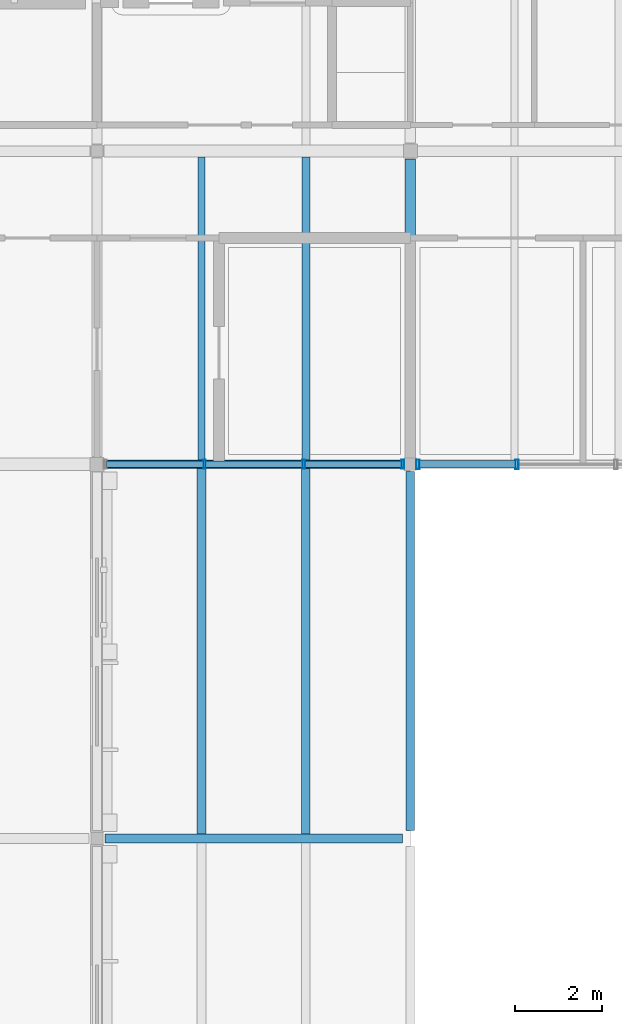
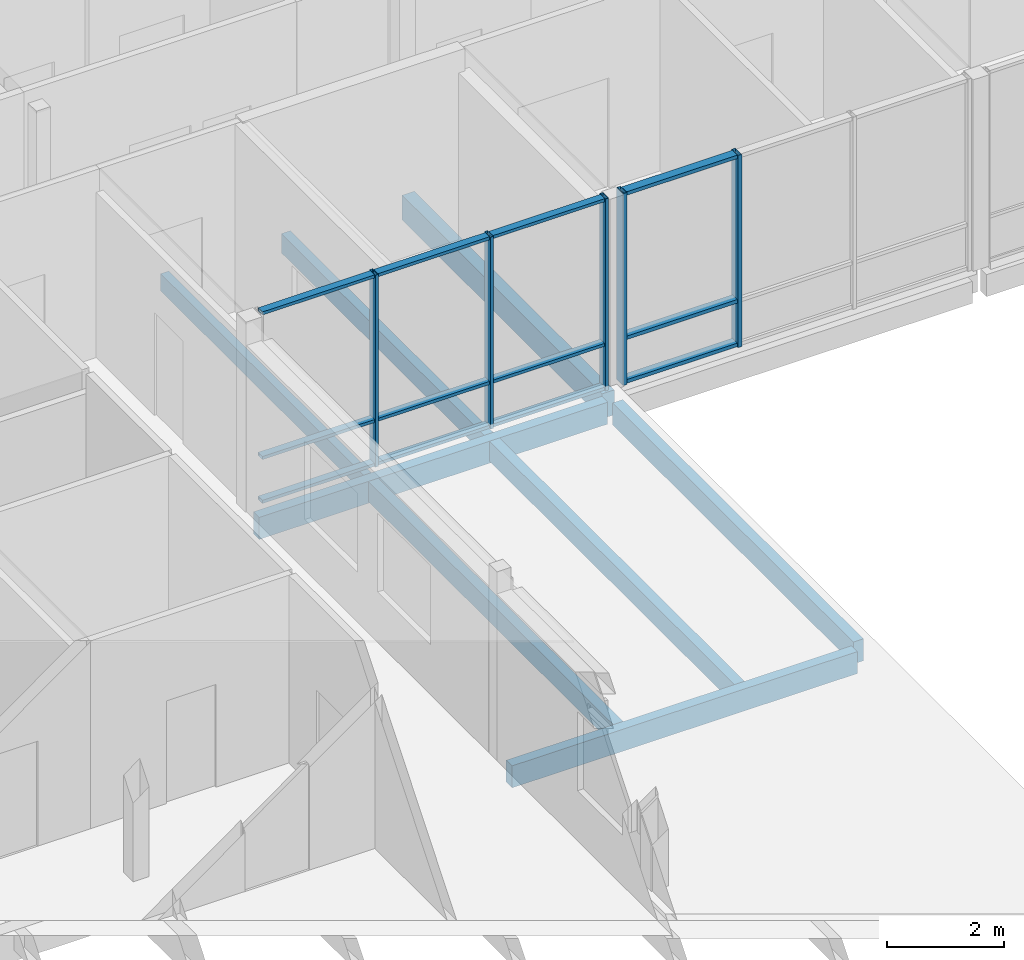
# One storey, part 13 of 57: 17 members, 8 beams, 2 elements without a shape of their own.
"""IFC4 building model written with IfcOpenShell, lengths in metres."""

from ifc_helpers import new_model, si_unit, direction, frame, origin, origin_2d, place, context, subcontext, project, spatial, rectangle, hollow_rectangle, extrude, material, material_profile, profile_set, type_object, element, aggregate, save


model = new_model("IFC4")

# Units and contexts
model_context = context("Model", 3, precision=1e-05, world=origin(), true_north=direction((0.0, 1.0)))
body_context = subcontext(model_context, "Body", "Model", "MODEL_VIEW")
ifc_project = project(units=[si_unit("LENGTHUNIT", "METRE"), si_unit("AREAUNIT", "SQUARE_METRE"), si_unit("VOLUMEUNIT", "CUBIC_METRE"), si_unit("PLANEANGLEUNIT", "RADIAN"), si_unit("MASSUNIT", "GRAM", prefix="KILO")], contexts=[model_context])

# Site, building, storey
site_placement = place(None, origin())
site = spatial("IfcSite", under=ifc_project, at=site_placement, CompositionType="ELEMENT")
building_placement = place(site_placement, origin())
building = spatial("IfcBuilding", under=site, at=building_placement, Name="Hawrajan Terrace Health Centre", CompositionType="ELEMENT")
storey_placement = place(building_placement, frame((0.0, 0.0, 13.199951171875)))
storey = spatial("IfcBuildingStorey", under=building, at=storey_placement, Name="L03", CompositionType="ELEMENT", Elevation=13.199951171875)

# Curtain wall, members
ifc_material_1 = material(Name="Anodized bronze aluminium and low-E solar glazing", Category="aluminium")
curtain_wall_type_1 = type_object("IfcCurtainWallType", Name="CW_Clerestory_SeriesG1", PredefinedType="USERDEFINED", material=ifc_material_1)
curtain_wall_1_placement = place(storey_placement, origin())
curtain_wall_1 = element("IfcCurtainWall", 1, at=curtain_wall_1_placement, inside=storey, type_object=curtain_wall_type_1, Name="Curtain wall CW-L03-160", ObjectType="UNITISED CURTAIN WALL", PredefinedType="USERDEFINED")
ifc_material_2 = material(Name="Anodized bronze aluminium 6063-T6", Category="aluminium")
ifc_material_profile_1 = material_profile(ifc_material_2, hollow_rectangle(XDim=0.06494140625, YDim=0.199951171875, WallThickness=0.00439453125, at=origin_2d()), Name="CW MUL 65x200")
ifc_profile_set_1 = profile_set([ifc_material_profile_1], Name="Anodized bronze aluminium 6063-T6")
member_type_1 = type_object("IfcMemberType", Name="CWMullion_65x200", PredefinedType="MULLION", material=ifc_profile_set_1)
member_1_placement = place(storey_placement, frame((21.470703125, 45.39990234375, -0.0048828125), z_axis=(0.0, 0.0, 1.0), x_axis=(1.0, 0.0, 0.0)))
member_1 = element("IfcMember", 2, at=member_1_placement, type_object=member_type_1, Name="Mullion CW-L03-160-M2", PredefinedType="MULLION", context=body_context, shape_type="SweptSolid", body=[
    extrude(hollow_rectangle(XDim=0.06494140625, YDim=0.199951171875, WallThickness=0.00439453125, at=origin_2d()), origin(), (0.0, 0.0, 1.0), 4.02001953125),
])
member_2_placement = place(storey_placement, frame((23.749267578125, 45.39990234375, -0.0048828125), z_axis=(0.0, 0.0, 1.0), x_axis=(1.0, 0.0, 0.0)))
member_2 = element("IfcMember", 3, at=member_2_placement, type_object=member_type_1, Name="Mullion CW-L03-160-M3", PredefinedType="MULLION", context=body_context, shape_type="SweptSolid", body=[
    extrude(hollow_rectangle(XDim=0.06494140625, YDim=0.199951171875, WallThickness=0.00439453125, at=origin_2d()), origin(), (0.0, 0.0, 1.0), 4.02001953125),
])
member_3_placement = place(storey_placement, frame((26.027587890625, 45.39990234375, -0.0048828125), z_axis=(0.0, 0.0, 1.0), x_axis=(1.0, 0.0, 0.0)))
member_3 = element("IfcMember", 4, at=member_3_placement, type_object=member_type_1, Name="Mullion CW-L03-160-M4", PredefinedType="MULLION", context=body_context, shape_type="SweptSolid", body=[
    extrude(hollow_rectangle(XDim=0.06494140625, YDim=0.199951171875, WallThickness=0.00439453125, at=origin_2d()), origin(), (0.0, 0.0, 1.0), 4.02001953125),
])

curtain_wall_type_2 = type_object("IfcCurtainWallType", Name="CW_Clerestory_SeriesG2", PredefinedType="USERDEFINED", material=ifc_material_1)
curtain_wall_2_placement = place(storey_placement, origin())
curtain_wall_2 = element("IfcCurtainWall", 5, at=curtain_wall_2_placement, inside=storey, type_object=curtain_wall_type_2, Name="Curtain wall CW-L03-161", ObjectType="UNITISED CURTAIN WALL", PredefinedType="USERDEFINED")
ifc_material_profile_2 = material_profile(ifc_material_2, hollow_rectangle(XDim=0.074951171875, YDim=0.219970703125, WallThickness=0.0048828125, at=origin_2d()), Name="CW MUL 75x220")
ifc_profile_set_2 = profile_set([ifc_material_profile_2], Name="Anodized bronze aluminium 6063-T6")
member_type_2 = type_object("IfcMemberType", Name="CWMullion_75x220", PredefinedType="MULLION", material=ifc_profile_set_2)
member_4_placement = place(storey_placement, frame((26.37744140625, 45.39990234375, -0.0048828125), z_axis=(0.0, 0.0, 1.0), x_axis=(1.0, 0.0, 0.0)))
member_4 = element("IfcMember", 6, at=member_4_placement, type_object=member_type_2, Name="Mullion CW-L03-161-M1", PredefinedType="MULLION", context=body_context, shape_type="SweptSolid", body=[
    extrude(hollow_rectangle(XDim=0.074951171875, YDim=0.219970703125, WallThickness=0.0048828125, at=origin_2d()), origin(), (0.0, 0.0, 1.0), 4.02001953125),
])
member_5_placement = place(storey_placement, frame((28.652587890625, 45.39990234375, -0.0048828125), z_axis=(0.0, 0.0, 1.0), x_axis=(1.0, 0.0, 0.0)))
member_5 = element("IfcMember", 7, at=member_5_placement, type_object=member_type_2, Name="Mullion CW-L03-161-M2", PredefinedType="MULLION", context=body_context, shape_type="SweptSolid", body=[
    extrude(hollow_rectangle(XDim=0.074951171875, YDim=0.219970703125, WallThickness=0.0048828125, at=origin_2d()), origin(), (0.0, 0.0, 1.0), 4.02001953125),
])

# Member
ifc_material_profile_3 = material_profile(ifc_material_2, hollow_rectangle(XDim=0.06494140625, YDim=0.14990234375, WallThickness=0.00390625, at=origin_2d()), Name="CW TRN 65x150")
ifc_profile_set_3 = profile_set([ifc_material_profile_3], Name="Anodized bronze aluminium 6063-T6")
member_type_3 = type_object("IfcMemberType", Name="CWTransom_65x150", PredefinedType="USERDEFINED", material=ifc_profile_set_3)
member_6_placement = place(storey_placement, frame((19.218994140625, 45.39990234375, 0.032470703125), z_axis=(1.0, 0.0, 0.0), x_axis=(0.0, 0.0, 1.0)))
member_6 = element("IfcMember", 8, at=member_6_placement, type_object=member_type_3, Name="Transom CW-L03-160-T1-1", ObjectType="TRANSOM", PredefinedType="USERDEFINED", context=body_context, shape_type="SweptSolid", body=[
    extrude(hollow_rectangle(XDim=0.06494140625, YDim=0.14990234375, WallThickness=0.00390625, at=origin_2d()), origin(), (0.0, 0.0, 1.0), 2.225341796875),
])

member_7_placement = place(storey_placement, frame((19.218994140625, 45.39990234375, 0.949951171875), z_axis=(1.0, 0.0, 0.0), x_axis=(0.0, 0.0, 1.0)))
member_7 = element("IfcMember", 9, at=member_7_placement, type_object=member_type_3, Name="Transom CW-L03-160-T1-2", ObjectType="TRANSOM", PredefinedType="USERDEFINED", context=body_context, shape_type="SweptSolid", body=[
    extrude(hollow_rectangle(XDim=0.06494140625, YDim=0.14990234375, WallThickness=0.00390625, at=origin_2d()), origin(), (0.0, 0.0, 1.0), 2.225341796875),
])

member_8_placement = place(storey_placement, frame((19.218994140625, 45.39990234375, 3.9775390625), z_axis=(1.0, 0.0, 0.0), x_axis=(0.0, 0.0, 1.0)))
member_8 = element("IfcMember", 10, at=member_8_placement, type_object=member_type_3, Name="Transom CW-L03-160-T1-3", ObjectType="TRANSOM", PredefinedType="USERDEFINED", context=body_context, shape_type="SweptSolid", body=[
    extrude(hollow_rectangle(XDim=0.06494140625, YDim=0.14990234375, WallThickness=0.00390625, at=origin_2d()), origin(), (0.0, 0.0, 1.0), 2.225341796875),
])

member_9_placement = place(storey_placement, frame((21.497314453125, 45.39990234375, 0.032470703125), z_axis=(1.0, 0.0, 0.0), x_axis=(0.0, 0.0, 1.0)))
member_9 = element("IfcMember", 11, at=member_9_placement, type_object=member_type_3, Name="Transom CW-L03-160-T2-1", ObjectType="TRANSOM", PredefinedType="USERDEFINED", context=body_context, shape_type="SweptSolid", body=[
    extrude(hollow_rectangle(XDim=0.06494140625, YDim=0.14990234375, WallThickness=0.00390625, at=origin_2d()), origin(), (0.0, 0.0, 1.0), 2.225341796875),
])

member_10_placement = place(storey_placement, frame((21.497314453125, 45.39990234375, 0.949951171875), z_axis=(1.0, 0.0, 0.0), x_axis=(0.0, 0.0, 1.0)))
member_10 = element("IfcMember", 12, at=member_10_placement, type_object=member_type_3, Name="Transom CW-L03-160-T2-2", ObjectType="TRANSOM", PredefinedType="USERDEFINED", context=body_context, shape_type="SweptSolid", body=[
    extrude(hollow_rectangle(XDim=0.06494140625, YDim=0.14990234375, WallThickness=0.00390625, at=origin_2d()), origin(), (0.0, 0.0, 1.0), 2.225341796875),
])

member_11_placement = place(storey_placement, frame((21.497314453125, 45.39990234375, 3.9775390625), z_axis=(1.0, 0.0, 0.0), x_axis=(0.0, 0.0, 1.0)))
member_11 = element("IfcMember", 13, at=member_11_placement, type_object=member_type_3, Name="Transom CW-L03-160-T2-3", ObjectType="TRANSOM", PredefinedType="USERDEFINED", context=body_context, shape_type="SweptSolid", body=[
    extrude(hollow_rectangle(XDim=0.06494140625, YDim=0.14990234375, WallThickness=0.00390625, at=origin_2d()), origin(), (0.0, 0.0, 1.0), 2.225341796875),
])

member_12_placement = place(storey_placement, frame((23.775634765625, 45.39990234375, 0.032470703125), z_axis=(1.0, 0.0, 0.0), x_axis=(0.0, 0.0, 1.0)))
member_12 = element("IfcMember", 14, at=member_12_placement, type_object=member_type_3, Name="Transom CW-L03-160-T3-1", ObjectType="TRANSOM", PredefinedType="USERDEFINED", context=body_context, shape_type="SweptSolid", body=[
    extrude(hollow_rectangle(XDim=0.06494140625, YDim=0.14990234375, WallThickness=0.00390625, at=origin_2d()), origin(), (0.0, 0.0, 1.0), 2.225341796875),
])

member_13_placement = place(storey_placement, frame((23.775634765625, 45.39990234375, 0.949951171875), z_axis=(1.0, 0.0, 0.0), x_axis=(0.0, 0.0, 1.0)))
member_13 = element("IfcMember", 15, at=member_13_placement, type_object=member_type_3, Name="Transom CW-L03-160-T3-2", ObjectType="TRANSOM", PredefinedType="USERDEFINED", context=body_context, shape_type="SweptSolid", body=[
    extrude(hollow_rectangle(XDim=0.06494140625, YDim=0.14990234375, WallThickness=0.00390625, at=origin_2d()), origin(), (0.0, 0.0, 1.0), 2.225341796875),
])

member_14_placement = place(storey_placement, frame((23.775634765625, 45.39990234375, 3.9775390625), z_axis=(1.0, 0.0, 0.0), x_axis=(0.0, 0.0, 1.0)))
member_14 = element("IfcMember", 16, at=member_14_placement, type_object=member_type_3, Name="Transom CW-L03-160-T3-3", ObjectType="TRANSOM", PredefinedType="USERDEFINED", context=body_context, shape_type="SweptSolid", body=[
    extrude(hollow_rectangle(XDim=0.06494140625, YDim=0.14990234375, WallThickness=0.00390625, at=origin_2d()), origin(), (0.0, 0.0, 1.0), 2.225341796875),
])

aggregate(curtain_wall_1, [member_1, member_2, member_3, member_6, member_7, member_8, member_9, member_10, member_11, member_12, member_13, member_14])

ifc_material_profile_4 = material_profile(ifc_material_2, hollow_rectangle(XDim=0.074951171875, YDim=0.169921875, WallThickness=0.00439453125, at=origin_2d()), Name="CW TRN 75x170")
ifc_profile_set_4 = profile_set([ifc_material_profile_4], Name="Anodized bronze aluminium 6063-T6")
member_type_4 = type_object("IfcMemberType", Name="CWTransom_75x170", PredefinedType="USERDEFINED", material=ifc_profile_set_4)
member_15_placement = place(storey_placement, frame((26.408935546875, 45.39990234375, 0.03759765625), z_axis=(1.0, 0.0, 0.0), x_axis=(0.0, 0.0, 1.0)))
member_15 = element("IfcMember", 17, at=member_15_placement, type_object=member_type_4, Name="Transom CW-L03-161-T1-1", ObjectType="TRANSOM", PredefinedType="USERDEFINED", context=body_context, shape_type="SweptSolid", body=[
    extrude(hollow_rectangle(XDim=0.074951171875, YDim=0.169921875, WallThickness=0.00439453125, at=origin_2d()), origin(), (0.0, 0.0, 1.0), 2.212158203125),
])

member_16_placement = place(storey_placement, frame((26.408935546875, 45.39990234375, 0.949951171875), z_axis=(1.0, 0.0, 0.0), x_axis=(0.0, 0.0, 1.0)))
member_16 = element("IfcMember", 18, at=member_16_placement, type_object=member_type_4, Name="Transom CW-L03-161-T1-2", ObjectType="TRANSOM", PredefinedType="USERDEFINED", context=body_context, shape_type="SweptSolid", body=[
    extrude(hollow_rectangle(XDim=0.074951171875, YDim=0.169921875, WallThickness=0.00439453125, at=origin_2d()), origin(), (0.0, 0.0, 1.0), 2.212158203125),
])

member_17_placement = place(storey_placement, frame((26.408935546875, 45.39990234375, 3.97265625), z_axis=(1.0, 0.0, 0.0), x_axis=(0.0, 0.0, 1.0)))
member_17 = element("IfcMember", 19, at=member_17_placement, type_object=member_type_4, Name="Transom CW-L03-161-T1-3", ObjectType="TRANSOM", PredefinedType="USERDEFINED", context=body_context, shape_type="SweptSolid", body=[
    extrude(hollow_rectangle(XDim=0.074951171875, YDim=0.169921875, WallThickness=0.00439453125, at=origin_2d()), origin(), (0.0, 0.0, 1.0), 2.212158203125),
])

aggregate(curtain_wall_2, [member_4, member_5, member_15, member_16, member_17])

# Beams
ifc_material_3 = material(Name="Glulam GL32h", Category="wood")
ifc_material_profile_5 = material_profile(ifc_material_3, rectangle(XDim=0.239990234375, YDim=0.52001953125, at=origin_2d()), Name="GL BM 240x520")
ifc_profile_set_5 = profile_set([ifc_material_profile_5], Name="Glulam GL32h")
beam_type_1 = type_object("IfcBeamType", Name="GlulamGirder_240x520", PredefinedType="BEAM", material=ifc_profile_set_5)
beam_1_placement = place(storey_placement, frame((26.199951171875, 45.56005859375, -0.510009765625), z_axis=(0.0, 1.0, 0.0), x_axis=(-1.0, 0.0, 0.0)))
element("IfcBeam", 20, at=beam_1_placement, inside=storey, type_object=beam_type_1, Name="Beam BM-Y-L03-W-X04-6", PredefinedType="BEAM", context=body_context, shape_type="SweptSolid", body=[
    extrude(rectangle(XDim=0.239990234375, YDim=0.52001953125, at=origin_2d()), origin(), (0.0, 0.0, 1.0), 6.85986328125),
])
ifc_material_4 = material(Name="Glulam GL28h", Category="wood")
ifc_material_profile_6 = material_profile(ifc_material_4, rectangle(XDim=0.159912109375, YDim=0.360107421875, at=origin_2d()), Name="GL JST 160x360")
ifc_profile_set_6 = profile_set([ifc_material_profile_6], Name="Glulam GL28h")
beam_type_2 = type_object("IfcBeamType", Name="GlulamJoist_160x360", PredefinedType="JOIST", material=ifc_profile_set_6)
beam_2_placement = place(storey_placement, frame((21.39990234375, 45.5, -0.429931640625), z_axis=(0.0, 1.0, 0.0), x_axis=(-1.0, 0.0, 0.0)))
element("IfcBeam", 21, at=beam_2_placement, inside=storey, type_object=beam_type_2, Name="Secondary joist JST-L03-W-03-6-1", PredefinedType="JOIST", context=body_context, shape_type="SweptSolid", body=[
    extrude(rectangle(XDim=0.159912109375, YDim=0.360107421875, at=origin_2d()), origin(), (0.0, 0.0, 1.0), 6.9599609375),
])
ifc_material_profile_7 = material_profile(ifc_material_4, rectangle(XDim=0.179931640625, YDim=0.39990234375, at=origin_2d()), Name="GL JST 180x400")
ifc_profile_set_7 = profile_set([ifc_material_profile_7], Name="Glulam GL28h")
beam_type_3 = type_object("IfcBeamType", Name="GlulamJoist_180x400", PredefinedType="JOIST", material=ifc_profile_set_7)
beam_3_placement = place(storey_placement, frame((23.800048828125, 45.5, -0.449951171875), z_axis=(0.0, 1.0, 0.0), x_axis=(-1.0, 0.0, 0.0)))
element("IfcBeam", 22, at=beam_3_placement, inside=storey, type_object=beam_type_3, Name="Secondary joist JST-L03-W-03-6-2", PredefinedType="JOIST", context=body_context, shape_type="SweptSolid", body=[
    extrude(rectangle(XDim=0.179931640625, YDim=0.39990234375, at=origin_2d()), origin(), (0.0, 0.0, 1.0), 6.9599609375),
])
ifc_material_profile_8 = material_profile(ifc_material_4, rectangle(XDim=0.199951171875, YDim=0.419921875, at=origin_2d()), Name="GL JST 200x420")
ifc_profile_set_8 = profile_set([ifc_material_profile_8], Name="Glulam GL28h")
beam_type_4 = type_object("IfcBeamType", Name="GlulamJoist_200x420", PredefinedType="JOIST", material=ifc_profile_set_8)
for number, where, z_axis, x_axis, name in (
    (23, (21.39990234375, 36.89990234375, -0.4599609375), (0.0, 1.0, 0.0), (-1.0, 0.0, 0.0), "Secondary joist JST-L03-W-03-5-1"),
    (24, (23.800048828125, 36.89990234375, -0.4599609375), (0.0, 1.0, 0.0), (-1.0, 0.0, 0.0), "Secondary joist JST-L03-W-03-5-2"),
):
    element("IfcBeam", number, at=place(storey_placement, frame(where, z_axis=z_axis, x_axis=x_axis)), inside=storey, type_object=beam_type_4, Name=name, PredefinedType="JOIST", context=body_context, shape_type="SweptSolid", body=[
        extrude(rectangle(XDim=0.199951171875, YDim=0.419921875, at=origin_2d()), origin(), (0.0, 0.0, 1.0), 8.400146484375),
    ])
ifc_material_profile_9 = material_profile(ifc_material_3, rectangle(XDim=0.199951171875, YDim=0.4599609375, at=origin_2d()), Name="GL SP 200x460")
ifc_profile_set_9 = profile_set([ifc_material_profile_9], Name="Glulam GL32h")
beam_type_5 = type_object("IfcBeamType", Name="GlulamSpandrel_200x460", PredefinedType="SPANDREL", material=ifc_profile_set_9)
beam_4_placement = place(storey_placement, frame((19.179931640625, 36.800048828125, -0.47998046875), z_axis=(1.0, 0.0, 0.0), x_axis=(0.0, 1.0, 0.0)))
element("IfcBeam", 25, at=beam_4_placement, inside=storey, type_object=beam_type_5, Name="Beam BM-X-L03-W-03-Y5", PredefinedType="SPANDREL", context=body_context, shape_type="SweptSolid", body=[
    extrude(rectangle(XDim=0.199951171875, YDim=0.4599609375, at=origin_2d()), origin(), (0.0, 0.0, 1.0), 6.840087890625),
])
beam_5_placement = place(storey_placement, frame((19.139892578125, 45.39990234375, -0.47998046875), z_axis=(1.0, 0.0, 0.0), x_axis=(0.0, 1.0, 0.0)))
element("IfcBeam", 26, at=beam_5_placement, inside=storey, type_object=beam_type_5, Name="Beam BM-X-L03-W-03-Y6", PredefinedType="SPANDREL", context=body_context, shape_type="SweptSolid", body=[
    extrude(rectangle(XDim=0.199951171875, YDim=0.4599609375, at=origin_2d()), origin(), (0.0, 0.0, 1.0), 6.900146484375),
])
beam_6_placement = place(storey_placement, frame((26.199951171875, 36.97998046875, -0.47998046875), z_axis=(0.0, 1.0, 0.0), x_axis=(-1.0, 0.0, 0.0)))
element("IfcBeam", 27, at=beam_6_placement, inside=storey, type_object=beam_type_5, Name="Beam BM-Y-L03-W-X04-5", PredefinedType="SPANDREL", context=body_context, shape_type="SweptSolid", body=[
    extrude(rectangle(XDim=0.199951171875, YDim=0.4599609375, at=origin_2d()), origin(), (0.0, 0.0, 1.0), 8.260009765625),
])

save(model, "model.ifc")
